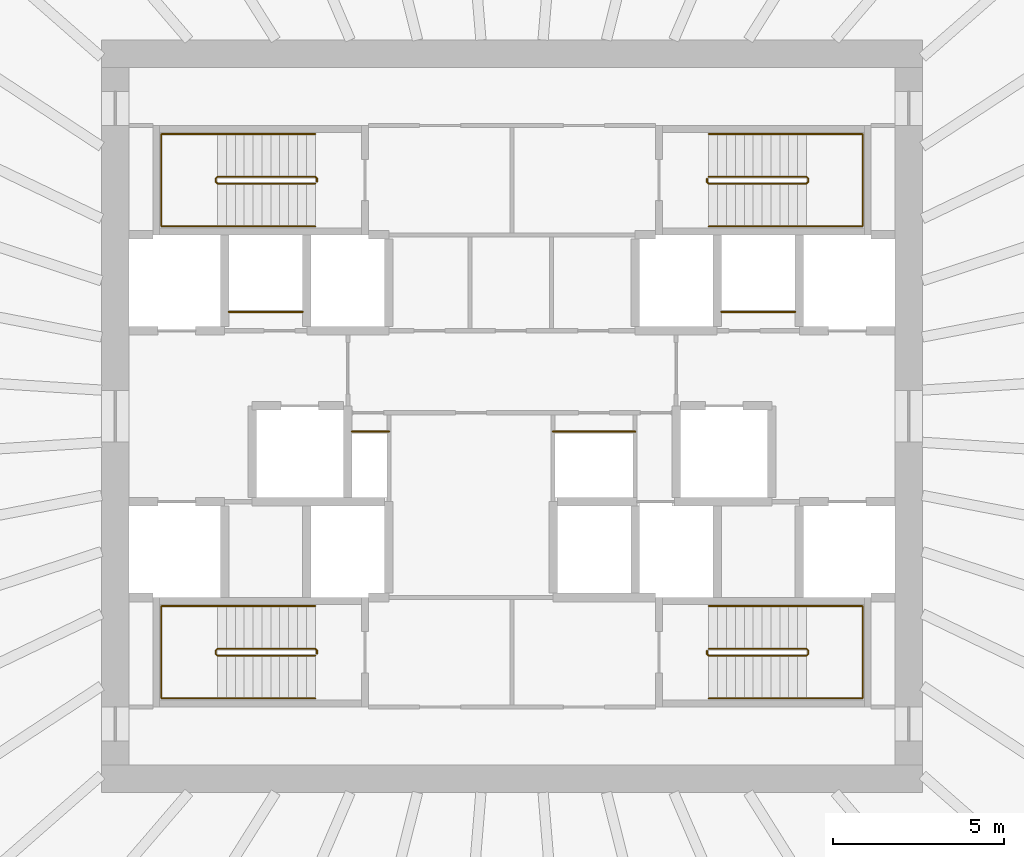
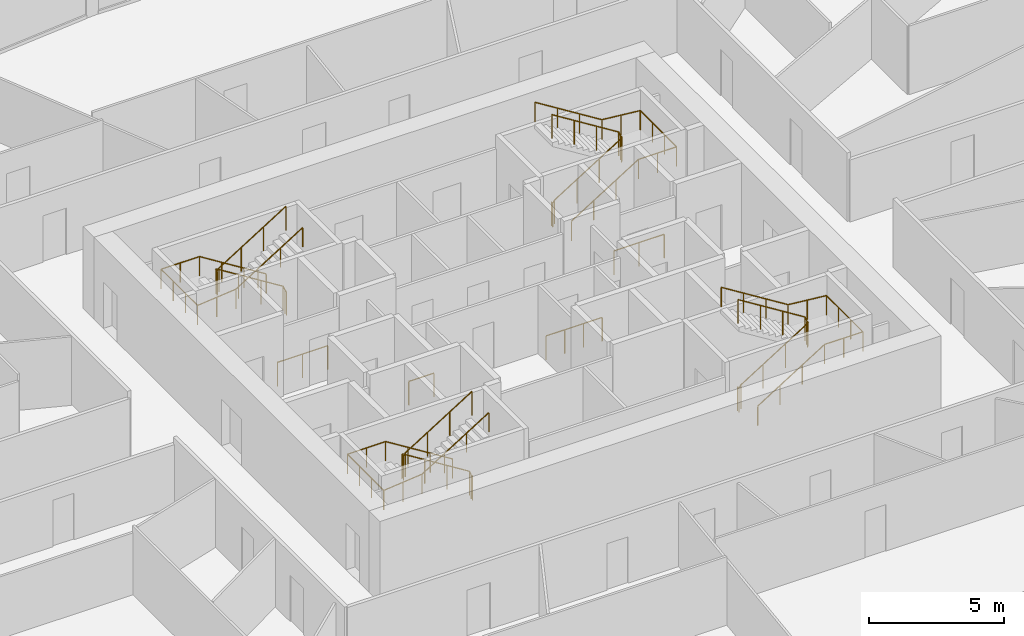
# One storey, part 10 of 10: 12 railings.
"""IFC4 building model written with IfcOpenShell, lengths in metres."""

from ifc_helpers import new_model, si_unit, direction, frame, origin, origin_2d, place, context, subcontext, project, spatial, circle, extrude, source, transform, mapped, material, type_object, element, save


model = new_model("IFC4")

# Units and contexts
model_context = context("Model", 3, precision=1e-05, world=origin(), true_north=direction((0.0, 1.0)))
body_context = subcontext(model_context, "Body", "Model", "MODEL_VIEW")
ifc_project = project(units=[si_unit("LENGTHUNIT", "METRE"), si_unit("AREAUNIT", "SQUARE_METRE"), si_unit("VOLUMEUNIT", "CUBIC_METRE"), si_unit("PLANEANGLEUNIT", "RADIAN"), si_unit("MASSUNIT", "GRAM", prefix="KILO")], contexts=[model_context])

# Site, building, storey
site_placement = place(None, origin())
site = spatial("IfcSite", under=ifc_project, at=site_placement, CompositionType="ELEMENT")
building_placement = place(site_placement, origin())
building = spatial("IfcBuilding", under=site, at=building_placement, Name="Embergate Tower", CompositionType="ELEMENT")
storey_placement = place(building_placement, frame((0.0, 0.0, 183.300048828125)))
storey = spatial("IfcBuildingStorey", under=building, at=storey_placement, Name="L41", CompositionType="ELEMENT", Elevation=183.300048828125)

# Railings
ifc_material_1 = material(Name="Stair guard 1100")
railing_type_1 = type_object("IfcRailingType", Name="Stair guard 1100", PredefinedType="GUARDRAIL", material=ifc_material_1)
shared_shape_1 = source(origin(), body_context, "Body", "SweptSolid", [
    extrude(circle(Radius=0.02392578125, at=origin_2d()), frame((0.0, 0.0, 1.076171875), z_axis=(0.0, 1.0, 0.0), x_axis=(-1.0, 0.0, 0.0)), (0.0, 0.0, 1.0), 0.099853515625),
    extrude(circle(Radius=0.02392578125, at=origin_2d()), frame((0.0, 0.099853515625, 1.076171875), z_axis=(-0.282583949758, 0.282583949758, 0.916674763849), x_axis=(-0.707106781187, -0.707106781187, 0.0)), (0.0, 0.0, 1.0), 0.177001953125),
    extrude(circle(Radius=0.02392578125, at=origin_2d()), frame((-0.050048828125, 0.14990234375, 1.23828125), z_axis=(-0.847994237388, 0.0, 0.530005446535), x_axis=(0.0, -1.0, 0.0)), (0.0, 0.0, 1.0), 3.372802734375),
    extrude(circle(Radius=0.02392578125, at=origin_2d()), frame((-2.91015625, 0.14990234375, 3.02587890625), z_axis=(-0.705375805398, -0.708833529934, 0.0), x_axis=(0.708833529934, -0.705375805398, 0.0)), (0.0, 0.0, 1.0), 0.070556640625),
    extrude(circle(Radius=0.02392578125, at=origin_2d()), frame((-2.9599609375, 0.099853515625, 3.02587890625), z_axis=(0.0, -1.0, 0.0), x_axis=(1.0, 0.0, 0.0)), (0.0, 0.0, 1.0), 0.099853515625),
    extrude(circle(Radius=0.02392578125, at=origin_2d()), frame((-2.9599609375, 0.0, 3.02587890625), z_axis=(0.280959487676, -0.282336740067, 0.917250092119), x_axis=(0.708833529934, 0.705375805398, 0.0)), (0.0, 0.0, 1.0), 0.17724609375),
    extrude(circle(Radius=0.02392578125, at=origin_2d()), frame((-2.91015625, -0.050048828125, 3.1884765625), z_axis=(0.848026770018, 0.0, 0.529953391661), x_axis=(0.0, 1.0, 0.0)), (0.0, 0.0, 1.0), 3.37255859375),
    extrude(circle(Radius=0.02099609375, at=origin_2d()), origin(), (0.0, 0.0, 1.0), 1.052001953125),
    extrude(circle(Radius=0.02099609375, at=origin_2d()), frame((0.0, 0.099853515625, 0.0)), (0.0, 0.0, 1.0), 1.052001953125),
    extrude(circle(Radius=0.02099609375, at=origin_2d()), frame((-0.050048828125, 0.14990234375, 0.162353515625)), (0.0, 0.0, 1.0), 1.052001953125),
    extrude(circle(Radius=0.02099609375, at=origin_2d()), frame((-1.00341796875, 0.14990234375, 0.75830078125)), (0.0, 0.0, 1.0), 1.052001953125),
    extrude(circle(Radius=0.02099609375, at=origin_2d()), frame((-1.956787109375, 0.14990234375, 1.35400390625)), (0.0, 0.0, 1.0), 1.052001953125),
    extrude(circle(Radius=0.02099609375, at=origin_2d()), frame((-2.91015625, 0.14990234375, 1.949951171875)), (0.0, 0.0, 1.0), 1.052001953125),
    extrude(circle(Radius=0.02099609375, at=origin_2d()), frame((-2.9599609375, 0.099853515625, 1.949951171875)), (0.0, 0.0, 1.0), 1.052001953125),
    extrude(circle(Radius=0.02099609375, at=origin_2d()), frame((-2.9599609375, 0.0, 1.949951171875)), (0.0, 0.0, 1.0), 1.052001953125),
    extrude(circle(Radius=0.02099609375, at=origin_2d()), frame((-2.91015625, -0.050048828125, 2.112548828125)), (0.0, 0.0, 1.0), 1.052001953125),
    extrude(circle(Radius=0.02099609375, at=origin_2d()), frame((-1.956787109375, -0.050048828125, 2.708251953125)), (0.0, 0.0, 1.0), 1.052001953125),
    extrude(circle(Radius=0.02099609375, at=origin_2d()), frame((-1.00341796875, -0.050048828125, 3.30419921875)), (0.0, 0.0, 1.0), 1.052001953125),
    extrude(circle(Radius=0.02099609375, at=origin_2d()), frame((-0.050048828125, -0.050048828125, 3.89990234375)), (0.0, 0.0, 1.0), 1.052001953125),
])
for number, where, name in (
    (1, (-5.699951171875, 6.85009765625, 0.0), "L41 ST1 stair guard 1"),
    (2, (-5.699951171875, -6.949951171875, 0.0), "L41 ST3 stair guard 1"),
):
    element("IfcRailing", number, at=place(storey_placement, frame(where)), inside=storey, type_object=railing_type_1, Name=name, PredefinedType="GUARDRAIL", context=body_context, shape_type="MappedRepresentation", body=[
        mapped(shared_shape_1, transform((0.0, 0.0, 0.0))),
    ])
ifc_material_2 = material(Name="Stair handrail 900")
railing_type_2 = type_object("IfcRailingType", Name="Stair handrail 900", PredefinedType="HANDRAIL", material=ifc_material_2)
shared_shape_2 = source(origin(), body_context, "Body", "SweptSolid", [
    extrude(circle(Radius=0.02392578125, at=origin_2d()), frame((0.0, 0.0, 0.8759765625), z_axis=(-0.847994237388, 0.0, 0.530005446535), x_axis=(0.0, -1.0, 0.0)), (0.0, 0.0, 1.0), 3.372802734375),
    extrude(circle(Radius=0.02392578125, at=origin_2d()), frame((-2.860107421875, 0.0, 2.66357421875), z_axis=(-1.0, 0.0, 0.0), x_axis=(0.0, -1.0, 0.0)), (0.0, 0.0, 1.0), 1.639892578125),
    extrude(circle(Radius=0.02392578125, at=origin_2d()), frame((-4.5, 0.0, 2.66357421875), z_axis=(0.0, -1.0, 0.0), x_axis=(1.0, 0.0, 0.0)), (0.0, 0.0, 1.0), 2.699951171875),
    extrude(circle(Radius=0.02392578125, at=origin_2d()), frame((-4.5, -2.699951171875, 2.66357421875), z_axis=(0.995120448088, 0.0, 0.098667592441), x_axis=(0.0, 1.0, 0.0)), (0.0, 0.0, 1.0), 1.64794921875),
    extrude(circle(Radius=0.02392578125, at=origin_2d()), frame((-2.860107421875, -2.699951171875, 2.826171875), z_axis=(0.848026770018, 0.0, 0.529953391661), x_axis=(0.0, 1.0, 0.0)), (0.0, 0.0, 1.0), 3.37255859375),
    extrude(circle(Radius=0.02099609375, at=origin_2d()), origin(), (0.0, 0.0, 1.0), 0.851806640625),
    extrude(circle(Radius=0.02099609375, at=origin_2d()), frame((-0.953369140625, 0.0, 0.595947265625)), (0.0, 0.0, 1.0), 0.851806640625),
    extrude(circle(Radius=0.02099609375, at=origin_2d()), frame((-1.90673828125, 0.0, 1.191650390625)), (0.0, 0.0, 1.0), 0.851806640625),
    extrude(circle(Radius=0.02099609375, at=origin_2d()), frame((-2.860107421875, 0.0, 1.78759765625)), (0.0, 0.0, 1.0), 0.851806640625),
    extrude(circle(Radius=0.02099609375, at=origin_2d()), frame((-3.68017578125, 0.0, 1.78759765625)), (0.0, 0.0, 1.0), 0.851806640625),
    extrude(circle(Radius=0.02099609375, at=origin_2d()), frame((-4.5, 0.0, 1.78759765625)), (0.0, 0.0, 1.0), 0.851806640625),
    extrude(circle(Radius=0.02099609375, at=origin_2d()), frame((-4.5, -0.89990234375, 1.78759765625)), (0.0, 0.0, 1.0), 0.851806640625),
    extrude(circle(Radius=0.02099609375, at=origin_2d()), frame((-4.5, -1.800048828125, 1.78759765625)), (0.0, 0.0, 1.0), 0.851806640625),
    extrude(circle(Radius=0.02099609375, at=origin_2d()), frame((-4.5, -2.699951171875, 1.78759765625)), (0.0, 0.0, 1.0), 0.851806640625),
    extrude(circle(Radius=0.02099609375, at=origin_2d()), frame((-3.68017578125, -2.699951171875, 1.868896484375)), (0.0, 0.0, 1.0), 0.851806640625),
    extrude(circle(Radius=0.02099609375, at=origin_2d()), frame((-2.860107421875, -2.699951171875, 1.9501953125)), (0.0, 0.0, 1.0), 0.851806640625),
    extrude(circle(Radius=0.02099609375, at=origin_2d()), frame((-1.90673828125, -2.699951171875, 2.5458984375)), (0.0, 0.0, 1.0), 0.851806640625),
    extrude(circle(Radius=0.02099609375, at=origin_2d()), frame((-0.953369140625, -2.699951171875, 3.141845703125)), (0.0, 0.0, 1.0), 0.851806640625),
    extrude(circle(Radius=0.02099609375, at=origin_2d()), frame((0.0, -2.699951171875, 3.737548828125)), (0.0, 0.0, 1.0), 0.851806640625),
])
for number, where, name in (
    (3, (-5.75, 8.25, 0.162353515625), "L41 ST1 stair handrail 1"),
    (4, (-5.75, -5.550048828125, 0.162353515625), "L41 ST3 stair handrail 1"),
):
    element("IfcRailing", number, at=place(storey_placement, frame(where)), inside=storey, type_object=railing_type_2, Name=name, PredefinedType="HANDRAIL", context=body_context, shape_type="MappedRepresentation", body=[
        mapped(shared_shape_2, transform((0.0, 0.0, 0.0))),
    ])
shared_shape_3 = source(origin(), body_context, "Body", "SweptSolid", [
    extrude(circle(Radius=0.02392578125, at=origin_2d()), frame((0.0, 0.0, 1.076171875), z_axis=(0.0, -1.0, 0.0), x_axis=(1.0, 0.0, 0.0)), (0.0, 0.0, 1.0), 0.099853515625),
    extrude(circle(Radius=0.02392578125, at=origin_2d()), frame((0.0, -0.099853515625, 1.076171875), z_axis=(0.282583949758, -0.282583949758, 0.916674763849), x_axis=(0.707106781187, 0.707106781187, 0.0)), (0.0, 0.0, 1.0), 0.177001953125),
    extrude(circle(Radius=0.02392578125, at=origin_2d()), frame((0.050048828125, -0.14990234375, 1.23828125), z_axis=(0.847994237388, 0.0, 0.530005446535), x_axis=(0.0, 1.0, 0.0)), (0.0, 0.0, 1.0), 3.372802734375),
    extrude(circle(Radius=0.02392578125, at=origin_2d()), frame((2.91015625, -0.14990234375, 3.02587890625), z_axis=(0.705375805398, 0.708833529934, 0.0), x_axis=(-0.708833529934, 0.705375805398, 0.0)), (0.0, 0.0, 1.0), 0.070556640625),
    extrude(circle(Radius=0.02392578125, at=origin_2d()), frame((2.9599609375, -0.099853515625, 3.02587890625), z_axis=(0.0, 1.0, 0.0), x_axis=(-1.0, 0.0, 0.0)), (0.0, 0.0, 1.0), 0.099853515625),
    extrude(circle(Radius=0.02392578125, at=origin_2d()), frame((2.9599609375, 0.0, 3.02587890625), z_axis=(-0.280959487676, 0.282336740067, 0.917250092119), x_axis=(-0.708833529934, -0.705375805398, 0.0)), (0.0, 0.0, 1.0), 0.17724609375),
    extrude(circle(Radius=0.02392578125, at=origin_2d()), frame((2.91015625, 0.050048828125, 3.1884765625), z_axis=(-0.848026770018, 0.0, 0.529953391661), x_axis=(0.0, -1.0, 0.0)), (0.0, 0.0, 1.0), 3.37255859375),
    extrude(circle(Radius=0.02099609375, at=origin_2d()), origin(), (0.0, 0.0, 1.0), 1.052001953125),
    extrude(circle(Radius=0.02099609375, at=origin_2d()), frame((0.0, -0.099853515625, 0.0)), (0.0, 0.0, 1.0), 1.052001953125),
    extrude(circle(Radius=0.02099609375, at=origin_2d()), frame((0.050048828125, -0.14990234375, 0.162353515625)), (0.0, 0.0, 1.0), 1.052001953125),
    extrude(circle(Radius=0.02099609375, at=origin_2d()), frame((1.00341796875, -0.14990234375, 0.75830078125)), (0.0, 0.0, 1.0), 1.052001953125),
    extrude(circle(Radius=0.02099609375, at=origin_2d()), frame((1.956787109375, -0.14990234375, 1.35400390625)), (0.0, 0.0, 1.0), 1.052001953125),
    extrude(circle(Radius=0.02099609375, at=origin_2d()), frame((2.91015625, -0.14990234375, 1.949951171875)), (0.0, 0.0, 1.0), 1.052001953125),
    extrude(circle(Radius=0.02099609375, at=origin_2d()), frame((2.9599609375, -0.099853515625, 1.949951171875)), (0.0, 0.0, 1.0), 1.052001953125),
    extrude(circle(Radius=0.02099609375, at=origin_2d()), frame((2.9599609375, 0.0, 1.949951171875)), (0.0, 0.0, 1.0), 1.052001953125),
    extrude(circle(Radius=0.02099609375, at=origin_2d()), frame((2.91015625, 0.050048828125, 2.112548828125)), (0.0, 0.0, 1.0), 1.052001953125),
    extrude(circle(Radius=0.02099609375, at=origin_2d()), frame((1.956787109375, 0.050048828125, 2.708251953125)), (0.0, 0.0, 1.0), 1.052001953125),
    extrude(circle(Radius=0.02099609375, at=origin_2d()), frame((1.00341796875, 0.050048828125, 3.30419921875)), (0.0, 0.0, 1.0), 1.052001953125),
    extrude(circle(Radius=0.02099609375, at=origin_2d()), frame((0.050048828125, 0.050048828125, 3.89990234375)), (0.0, 0.0, 1.0), 1.052001953125),
])
for number, where, name in (
    (5, (5.699951171875, 6.949951171875, 0.0), "L41 ST2 stair guard 1"),
    (6, (5.699951171875, -6.85009765625, 0.0), "L41 ST4 stair guard 1"),
):
    element("IfcRailing", number, at=place(storey_placement, frame(where)), inside=storey, type_object=railing_type_1, Name=name, PredefinedType="GUARDRAIL", context=body_context, shape_type="MappedRepresentation", body=[
        mapped(shared_shape_3, transform((0.0, 0.0, 0.0))),
    ])
shared_shape_4 = source(origin(), body_context, "Body", "SweptSolid", [
    extrude(circle(Radius=0.02392578125, at=origin_2d()), frame((0.0, 0.0, 0.8759765625), z_axis=(0.847994237388, 0.0, 0.530005446535), x_axis=(0.0, 1.0, 0.0)), (0.0, 0.0, 1.0), 3.372802734375),
    extrude(circle(Radius=0.02392578125, at=origin_2d()), frame((2.860107421875, 0.0, 2.66357421875), z_axis=(1.0, 0.0, 0.0), x_axis=(0.0, 1.0, 0.0)), (0.0, 0.0, 1.0), 1.639892578125),
    extrude(circle(Radius=0.02392578125, at=origin_2d()), frame((4.5, 0.0, 2.66357421875), z_axis=(0.0, 1.0, 0.0), x_axis=(-1.0, 0.0, 0.0)), (0.0, 0.0, 1.0), 2.699951171875),
    extrude(circle(Radius=0.02392578125, at=origin_2d()), frame((4.5, 2.699951171875, 2.66357421875), z_axis=(-0.995120448088, 0.0, 0.098667592441), x_axis=(0.0, -1.0, 0.0)), (0.0, 0.0, 1.0), 1.64794921875),
    extrude(circle(Radius=0.02392578125, at=origin_2d()), frame((2.860107421875, 2.699951171875, 2.826171875), z_axis=(-0.848026770018, 0.0, 0.529953391661), x_axis=(0.0, -1.0, 0.0)), (0.0, 0.0, 1.0), 3.37255859375),
    extrude(circle(Radius=0.02099609375, at=origin_2d()), origin(), (0.0, 0.0, 1.0), 0.851806640625),
    extrude(circle(Radius=0.02099609375, at=origin_2d()), frame((0.953369140625, 0.0, 0.595947265625)), (0.0, 0.0, 1.0), 0.851806640625),
    extrude(circle(Radius=0.02099609375, at=origin_2d()), frame((1.90673828125, 0.0, 1.191650390625)), (0.0, 0.0, 1.0), 0.851806640625),
    extrude(circle(Radius=0.02099609375, at=origin_2d()), frame((2.860107421875, 0.0, 1.78759765625)), (0.0, 0.0, 1.0), 0.851806640625),
    extrude(circle(Radius=0.02099609375, at=origin_2d()), frame((3.68017578125, 0.0, 1.78759765625)), (0.0, 0.0, 1.0), 0.851806640625),
    extrude(circle(Radius=0.02099609375, at=origin_2d()), frame((4.5, 0.0, 1.78759765625)), (0.0, 0.0, 1.0), 0.851806640625),
    extrude(circle(Radius=0.02099609375, at=origin_2d()), frame((4.5, 0.89990234375, 1.78759765625)), (0.0, 0.0, 1.0), 0.851806640625),
    extrude(circle(Radius=0.02099609375, at=origin_2d()), frame((4.5, 1.800048828125, 1.78759765625)), (0.0, 0.0, 1.0), 0.851806640625),
    extrude(circle(Radius=0.02099609375, at=origin_2d()), frame((4.5, 2.699951171875, 1.78759765625)), (0.0, 0.0, 1.0), 0.851806640625),
    extrude(circle(Radius=0.02099609375, at=origin_2d()), frame((3.68017578125, 2.699951171875, 1.868896484375)), (0.0, 0.0, 1.0), 0.851806640625),
    extrude(circle(Radius=0.02099609375, at=origin_2d()), frame((2.860107421875, 2.699951171875, 1.9501953125)), (0.0, 0.0, 1.0), 0.851806640625),
    extrude(circle(Radius=0.02099609375, at=origin_2d()), frame((1.90673828125, 2.699951171875, 2.5458984375)), (0.0, 0.0, 1.0), 0.851806640625),
    extrude(circle(Radius=0.02099609375, at=origin_2d()), frame((0.953369140625, 2.699951171875, 3.141845703125)), (0.0, 0.0, 1.0), 0.851806640625),
    extrude(circle(Radius=0.02099609375, at=origin_2d()), frame((0.0, 2.699951171875, 3.737548828125)), (0.0, 0.0, 1.0), 0.851806640625),
])
for number, where, name in (
    (7, (5.75, 5.550048828125, 0.162353515625), "L41 ST2 stair handrail 1"),
    (8, (5.75, -8.25, 0.162353515625), "L41 ST4 stair handrail 1"),
):
    element("IfcRailing", number, at=place(storey_placement, frame(where)), inside=storey, type_object=railing_type_2, Name=name, PredefinedType="HANDRAIL", context=body_context, shape_type="MappedRepresentation", body=[
        mapped(shared_shape_4, transform((0.0, 0.0, 0.0))),
    ])
ifc_material_3 = material(Name="Opening guard 1100")
railing_type_3 = type_object("IfcRailingType", Name="Opening guard 1100", PredefinedType="GUARDRAIL", material=ifc_material_3)
shared_shape_5 = source(origin(), body_context, "Body", "SweptSolid", [
    extrude(circle(Radius=0.02392578125, at=origin_2d()), frame((0.0, 0.0, 1.076171875), z_axis=(1.0, 0.0, 0.0), x_axis=(0.0, 1.0, 0.0)), (0.0, 0.0, 1.0), 2.14990234375),
    extrude(circle(Radius=0.02099609375, at=origin_2d()), origin(), (0.0, 0.0, 1.0), 1.052001953125),
    extrude(circle(Radius=0.02099609375, at=origin_2d()), frame((1.074951171875, 0.0, 0.0)), (0.0, 0.0, 1.0), 1.052001953125),
    extrude(circle(Radius=0.02099609375, at=origin_2d()), frame((2.14990234375, 0.0, 0.0)), (0.0, 0.0, 1.0), 1.052001953125),
])
for number, where, name in (
    (9, (-8.27490234375, 3.050048828125, 0.0), "Riser opening guard"),
    (10, (6.125, 3.050048828125, 0.0), "Riser opening guard"),
):
    element("IfcRailing", number, at=place(storey_placement, frame(where)), inside=storey, type_object=railing_type_3, Name=name, PredefinedType="GUARDRAIL", context=body_context, shape_type="MappedRepresentation", body=[
        mapped(shared_shape_5, transform((0.0, 0.0, 0.0))),
    ])
shared_shape_6 = source(origin(), body_context, "Body", "SweptSolid", [
    extrude(circle(Radius=0.02392578125, at=origin_2d()), frame((0.0, 0.0, 1.076171875), z_axis=(1.0, 0.0, 0.0), x_axis=(0.0, 1.0, 0.0)), (0.0, 0.0, 1.0), 1.074951171875),
    extrude(circle(Radius=0.02099609375, at=origin_2d()), origin(), (0.0, 0.0, 1.0), 1.052001953125),
    extrude(circle(Radius=0.02099609375, at=origin_2d()), frame((1.074951171875, 0.0, 0.0)), (0.0, 0.0, 1.0), 1.052001953125),
])
railing_1_placement = place(storey_placement, frame((-4.675048828125, -0.449951171875, 0.0)))
element("IfcRailing", 11, at=railing_1_placement, inside=storey, type_object=railing_type_3, Name="Riser opening guard", PredefinedType="GUARDRAIL", context=body_context, shape_type="MappedRepresentation", body=[
    mapped(shared_shape_6, transform((0.0, 0.0, 0.0))),
])
shared_shape_7 = source(origin(), body_context, "Body", "SweptSolid", [
    extrude(circle(Radius=0.02392578125, at=origin_2d()), frame((0.0, 0.0, 1.076171875), z_axis=(1.0, 0.0, 0.0), x_axis=(0.0, 1.0, 0.0)), (0.0, 0.0, 1.0), 2.400146484375),
    extrude(circle(Radius=0.02099609375, at=origin_2d()), origin(), (0.0, 0.0, 1.0), 1.052001953125),
    extrude(circle(Radius=0.02099609375, at=origin_2d()), frame((0.800048828125, 0.0, 0.0)), (0.0, 0.0, 1.0), 1.052001953125),
    extrude(circle(Radius=0.02099609375, at=origin_2d()), frame((1.60009765625, 0.0, 0.0)), (0.0, 0.0, 1.0), 1.052001953125),
    extrude(circle(Radius=0.02099609375, at=origin_2d()), frame((2.400146484375, 0.0, 0.0)), (0.0, 0.0, 1.0), 1.052001953125),
])
railing_2_placement = place(storey_placement, frame((1.199951171875, -0.449951171875, 0.0)))
element("IfcRailing", 12, at=railing_2_placement, inside=storey, type_object=railing_type_3, Name="Riser opening guard", PredefinedType="GUARDRAIL", context=body_context, shape_type="MappedRepresentation", body=[
    mapped(shared_shape_7, transform((0.0, 0.0, 0.0))),
])

save(model, "model.ifc")
